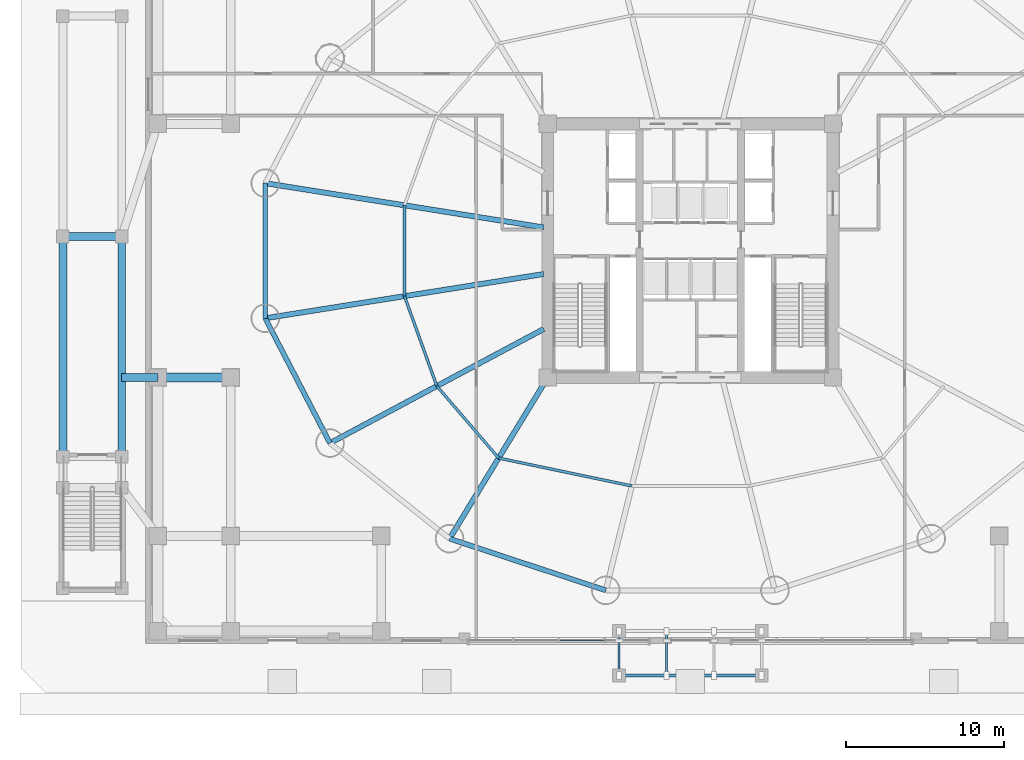
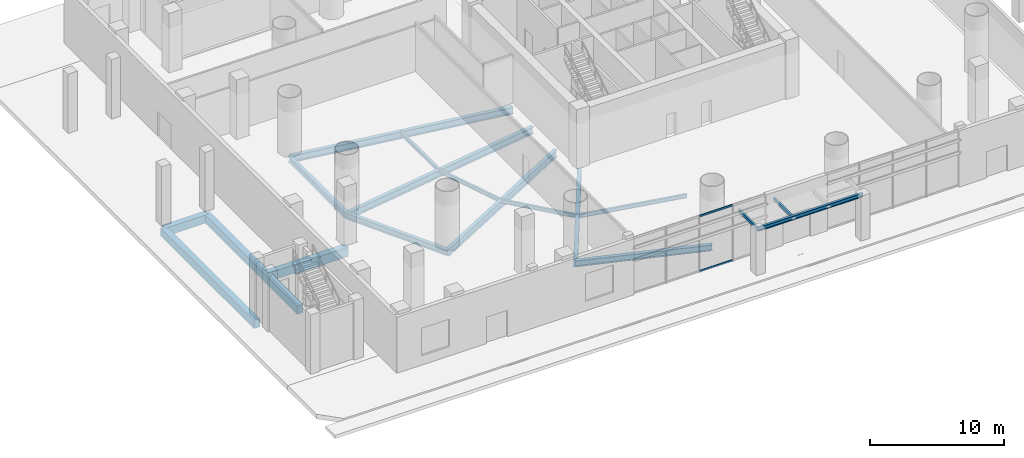
# One storey, part 3 of 25: 17 beams, 4 members, 1 element without a shape of its own.
"""IFC4 building model written with IfcOpenShell, lengths in metres."""

from ifc_helpers import new_model, si_unit, direction, frame, origin, origin_2d, place, context, subcontext, project, spatial, rectangle, hollow_rectangle, i_section, extrude, source, transform, mapped, material, material_profile, profile_set, type_object, element, aggregate, save


model = new_model("IFC4")

# Units and contexts
model_context = context("Model", 3, precision=1e-05, world=origin(), true_north=direction((-0.2419218956, 0.970295726276)))
body_context = subcontext(model_context, "Body", "Model", "MODEL_VIEW")
ifc_project = project(units=[si_unit("LENGTHUNIT", "METRE"), si_unit("AREAUNIT", "SQUARE_METRE"), si_unit("VOLUMEUNIT", "CUBIC_METRE"), si_unit("PLANEANGLEUNIT", "RADIAN"), si_unit("MASSUNIT", "GRAM", prefix="KILO")], contexts=[model_context])

# Site, building, storey
site_placement = place(None, origin())
site = spatial("IfcSite", under=ifc_project, at=site_placement, CompositionType="ELEMENT")
building_placement = place(site_placement, origin())
building = spatial("IfcBuilding", under=site, at=building_placement, Name="Cobrevalo Terracotta Tower", CompositionType="ELEMENT")
storey_placement = place(building_placement, origin())
storey = spatial("IfcBuildingStorey", under=building, at=storey_placement, Name="L00", CompositionType="ELEMENT", Elevation=0.0)

# Beams
ifc_material_1 = material(Name="Steel S355", Category="steel")
ifc_material_profile_1 = material_profile(ifc_material_1, i_section(OverallWidth=0.3291015625, OverallDepth=0.635009765625, WebThickness=0.017822265625, FlangeThickness=0.031005859375, at=origin_2d()), Name="W 610x241")
ifc_profile_set_1 = profile_set([ifc_material_profile_1], Name="Steel S355")
beam_type_1 = type_object("IfcBeamType", Name="Structural Beam W 610x241 (Steel S355)", PredefinedType="BEAM", material=ifc_profile_set_1)
for number, where, z_axis, x_axis, name in (
    (1, (11.175537109375, 31.062744140625, -0.737548828125), (0.987607924622, -0.156941349628, 0.0), (0.156941349628, 0.987607924622, 0.0), "L00 radial floor girder 08"),
    (2, (11.175537109375, 22.537353515625, -0.737548828125), (0.987607924622, 0.156941349628, 0.0), (-0.156941349628, 0.987607924622, 0.0), "L00 radial floor girder 09"),
):
    element("IfcBeam", number, at=place(storey_placement, frame(where, z_axis=z_axis, x_axis=x_axis)), inside=storey, type_object=beam_type_1, Name=name, PredefinedType="BEAM", context=body_context, shape_type="SweptSolid", body=[
        extrude(i_section(OverallWidth=0.3291015625, OverallDepth=0.635009765625, WebThickness=0.017822265625, FlangeThickness=0.031005859375, at=origin_2d()), origin(), (0.0, 0.0, 1.0), 17.7900390625),
    ])
beam_1_placement = place(storey_placement, frame((15.25927734375, 14.660888671875, -0.737548828125), z_axis=(0.88218223571, 0.470908168329, 0.0), x_axis=(-0.470908168329, 0.88218223571, 0.0)))
element("IfcBeam", 3, at=beam_1_placement, inside=storey, type_object=beam_type_1, Name="L00 radial floor girder 10", PredefinedType="BEAM", context=body_context, shape_type="SweptSolid", body=[
    extrude(i_section(OverallWidth=0.3291015625, OverallDepth=0.635009765625, WebThickness=0.017822265625, FlangeThickness=0.031005859375, at=origin_2d()), origin(), (0.0, 0.0, 1.0), 15.286865234375),
])
beam_2_placement = place(storey_placement, frame((22.80517578125, 8.63232421875, -0.737548828125), z_axis=(0.520300780853, 0.853983077961, 0.0), x_axis=(-0.853983077961, 0.520300780853, 0.0)))
element("IfcBeam", 4, at=beam_2_placement, inside=storey, type_object=beam_type_1, Name="L00 radial floor girder 11", PredefinedType="BEAM", context=body_context, shape_type="SweptSolid", body=[
    extrude(i_section(OverallWidth=0.3291015625, OverallDepth=0.635009765625, WebThickness=0.017822265625, FlangeThickness=0.031005859375, at=origin_2d()), origin(), (0.0, 0.0, 1.0), 11.90625),
])
ifc_material_profile_2 = material_profile(ifc_material_1, i_section(OverallWidth=0.1708984375, OverallDepth=0.35498046875, WebThickness=0.007080078125, FlangeThickness=0.01171875, at=origin_2d()), Name="W 360x51")
ifc_profile_set_2 = profile_set([ifc_material_profile_2], Name="Steel S355")
beam_type_2 = type_object("IfcBeamType", Name="Structural Joist W 360x51 (Steel S355)", PredefinedType="JOIST", material=ifc_profile_set_2)
beam_3_placement = place(storey_placement, frame((19.960205078125, 29.666748046875, -0.597412109375), z_axis=(0.0, -1.0, 0.0), x_axis=(1.0, 0.0, 0.0)))
element("IfcBeam", 5, at=beam_3_placement, inside=storey, type_object=beam_type_2, Name="L00 circumferential secondary floor joist 08", PredefinedType="JOIST", context=body_context, shape_type="SweptSolid", body=[
    extrude(i_section(OverallWidth=0.1708984375, OverallDepth=0.35498046875, WebThickness=0.007080078125, FlangeThickness=0.01171875, at=origin_2d()), origin(), (0.0, 0.0, 1.0), 5.7333984375),
])
beam_4_placement = place(storey_placement, frame((19.960205078125, 23.933349609375, -0.597412109375), z_axis=(0.338672151116, -0.940904444701, 0.0), x_axis=(0.940904444701, 0.338672151116, 0.0)))
element("IfcBeam", 6, at=beam_4_placement, inside=storey, type_object=beam_type_2, Name="L00 circumferential secondary floor joist 09", PredefinedType="JOIST", context=body_context, shape_type="SweptSolid", body=[
    extrude(i_section(OverallWidth=0.1708984375, OverallDepth=0.35498046875, WebThickness=0.007080078125, FlangeThickness=0.01171875, at=origin_2d()), origin(), (0.0, 0.0, 1.0), 6.029296875),
])
beam_5_placement = place(storey_placement, frame((22.002197265625, 18.26025390625, -0.597412109375), z_axis=(0.651328404454, -0.758795960421, 0.0), x_axis=(0.758795960421, 0.651328404454, 0.0)))
element("IfcBeam", 7, at=beam_5_placement, inside=storey, type_object=beam_type_2, Name="L00 circumferential secondary floor joist 10", PredefinedType="JOIST", context=body_context, shape_type="SweptSolid", body=[
    extrude(i_section(OverallWidth=0.1708984375, OverallDepth=0.35498046875, WebThickness=0.007080078125, FlangeThickness=0.01171875, at=origin_2d()), origin(), (0.0, 0.0, 1.0), 5.98828125),
])
beam_6_placement = place(storey_placement, frame((25.902587890625, 13.71630859375, -0.597412109375), z_axis=(0.978784523904, -0.204892302848, 0.0), x_axis=(0.204892302848, 0.978784523904, 0.0)))
element("IfcBeam", 8, at=beam_6_placement, inside=storey, type_object=beam_type_2, Name="L00 circumferential secondary floor joist 11", PredefinedType="JOIST", context=body_context, shape_type="SweptSolid", body=[
    extrude(i_section(OverallWidth=0.1708984375, OverallDepth=0.35498046875, WebThickness=0.007080078125, FlangeThickness=0.01171875, at=origin_2d()), origin(), (0.0, 0.0, 1.0), 8.583984375),
])
ifc_material_profile_3 = material_profile(ifc_material_1, i_section(OverallWidth=0.205078125, OverallDepth=0.35400390625, WebThickness=0.009521484375, FlangeThickness=0.016845703125, at=origin_2d()), Name="W 360x79")
ifc_profile_set_3 = profile_set([ifc_material_profile_3], Name="Steel S355")
beam_type_3 = type_object("IfcBeamType", Name="Structural Spandrel W 360x79 (Steel S355)", PredefinedType="SPANDREL", material=ifc_profile_set_3)
beam_7_placement = place(storey_placement, frame((33.5, 0.0, 3.889892578125), z_axis=(1.0, 0.0, 0.0), x_axis=(0.0, 1.0, 0.0)))
element("IfcBeam", 9, at=beam_7_placement, inside=storey, type_object=beam_type_3, Name="L00 main entrance canopy header beam", PredefinedType="SPANDREL", context=body_context, shape_type="SweptSolid", body=[
    extrude(i_section(OverallWidth=0.205078125, OverallDepth=0.35400390625, WebThickness=0.009521484375, FlangeThickness=0.016845703125, at=origin_2d()), origin(), (0.0, 0.0, 1.0), 9.0),
])
ifc_material_profile_4 = material_profile(ifc_material_1, i_section(OverallWidth=0.31201171875, OverallDepth=0.54296875, WebThickness=0.0126953125, FlangeThickness=0.020263671875, at=origin_2d()), Name="W 530x150")
ifc_profile_set_4 = profile_set([ifc_material_profile_4], Name="Steel S355")
beam_type_4 = type_object("IfcBeamType", Name="Structural Spandrel W 530x150 (Steel S355)", PredefinedType="SPANDREL", material=ifc_profile_set_4)
beam_8_placement = place(storey_placement, frame((11.175537109375, 31.062744140625, -0.69140625), z_axis=(0.0, -1.0, 0.0), x_axis=(1.0, 0.0, 0.0)))
element("IfcBeam", 10, at=beam_8_placement, inside=storey, type_object=beam_type_4, Name="L00 perimeter ring spandrel 08", PredefinedType="SPANDREL", context=body_context, shape_type="SweptSolid", body=[
    extrude(i_section(OverallWidth=0.31201171875, OverallDepth=0.54296875, WebThickness=0.0126953125, FlangeThickness=0.020263671875, at=origin_2d()), origin(), (0.0, 0.0, 1.0), 8.525390625),
])
beam_9_placement = place(storey_placement, frame((11.175537109375, 22.537353515625, -0.69140625), z_axis=(0.460285838799, -0.88777077368, 0.0), x_axis=(0.88777077368, 0.460285838799, 0.0)))
element("IfcBeam", 11, at=beam_9_placement, inside=storey, type_object=beam_type_4, Name="L00 perimeter ring spandrel 09", PredefinedType="SPANDREL", context=body_context, shape_type="SweptSolid", body=[
    extrude(i_section(OverallWidth=0.31201171875, OverallDepth=0.54296875, WebThickness=0.0126953125, FlangeThickness=0.020263671875, at=origin_2d()), origin(), (0.0, 0.0, 1.0), 8.8720703125),
])
beam_10_placement = place(storey_placement, frame((22.80517578125, 8.63232421875, -0.69140625), z_axis=(0.949372202648, -0.314153498848, 0.0), x_axis=(0.314153498848, 0.949372202648, 0.0)))
element("IfcBeam", 12, at=beam_10_placement, inside=storey, type_object=beam_type_4, Name="L00 perimeter ring spandrel 11", PredefinedType="SPANDREL", context=body_context, shape_type="SweptSolid", body=[
    extrude(i_section(OverallWidth=0.31201171875, OverallDepth=0.54296875, WebThickness=0.0126953125, FlangeThickness=0.020263671875, at=origin_2d()), origin(), (0.0, 0.0, 1.0), 10.385009765625),
])
ifc_material_2 = material(Name="Concrete C50", Category="concrete")
ifc_material_profile_5 = material_profile(ifc_material_2, rectangle(XDim=0.5, YDim=0.75, at=origin_2d()), Name="RC BM 500x750")
ifc_profile_set_5 = profile_set([ifc_material_profile_5], Name="Concrete C50")
beam_type_5 = type_object("IfcBeamType", Name="Structural T Beam RC BM 500x750 (Concrete C50)", PredefinedType="T_BEAM", material=ifc_profile_set_5)
for number, where, z_axis, x_axis, name in (
    (13, (-1.60009765625, 13.800048828125, -0.794921875), (0.0, 1.0, 0.0), (-1.0, 0.0, 0.0), "L00 garden wing edge beam W1-1"),
    (14, (2.1201171875, 13.800048828125, -0.794921875), (0.0, 1.0, 0.0), (-1.0, 0.0, 0.0), "L00 garden wing edge beam W2-1"),
):
    element("IfcBeam", number, at=place(storey_placement, frame(where, z_axis=z_axis, x_axis=x_axis)), inside=storey, type_object=beam_type_5, Name=name, PredefinedType="T_BEAM", context=body_context, shape_type="SweptSolid", body=[
        extrude(rectangle(XDim=0.5, YDim=0.75, at=origin_2d()), origin(), (0.0, 0.0, 1.0), 13.89990234375),
    ])
beam_11_placement = place(storey_placement, frame((-1.60009765625, 27.699951171875, -0.794921875), z_axis=(1.0, 0.0, 0.0), x_axis=(0.0, 1.0, 0.0)))
element("IfcBeam", 15, at=beam_11_placement, inside=storey, type_object=beam_type_5, Name="L00 garden wing cross beam W1", PredefinedType="T_BEAM", context=body_context, shape_type="SweptSolid", body=[
    extrude(rectangle(XDim=0.5, YDim=0.75, at=origin_2d()), origin(), (0.0, 0.0, 1.0), 3.72021484375),
])
beam_12_placement = place(storey_placement, frame((4.39990234375, 18.800048828125, -0.794921875), z_axis=(-1.0, 0.0, 0.0), x_axis=(0.0, -1.0, 0.0)))
element("IfcBeam", 16, at=beam_12_placement, inside=storey, type_object=beam_type_5, Name="L00 garden deck tie beam W2", PredefinedType="T_BEAM", context=body_context, shape_type="SweptSolid", body=[
    extrude(rectangle(XDim=0.5, YDim=0.75, at=origin_2d()), origin(), (0.0, 0.0, 1.0), 2.27978515625),
])
ifc_material_profile_6 = material_profile(ifc_material_2, rectangle(XDim=0.550048828125, YDim=0.85009765625, at=origin_2d()), Name="RC BM 550x850")
ifc_profile_set_6 = profile_set([ifc_material_profile_6], Name="Concrete C50")
beam_type_6 = type_object("IfcBeamType", Name="Structural T Beam RC BM 550x850 (Concrete C50)", PredefinedType="T_BEAM", material=ifc_profile_set_6)
beam_13_placement = place(storey_placement, frame((4.39990234375, 18.800048828125, -0.844970703125), z_axis=(1.0, 0.0, 0.0), x_axis=(0.0, 1.0, 0.0)))
element("IfcBeam", 17, at=beam_13_placement, inside=storey, type_object=beam_type_6, Name="L00 podium grid beam G1-GC to G2-GC", PredefinedType="T_BEAM", context=body_context, shape_type="SweptSolid", body=[
    extrude(rectangle(XDim=0.550048828125, YDim=0.85009765625, at=origin_2d()), origin(), (0.0, 0.0, 1.0), 4.60009765625),
])

# Curtain wall, members
ifc_material_3 = material(Name="Anodized aluminium", Category="aluminium")
curtain_wall_type = type_object("IfcCurtainWallType", Name="Double-height storefront stick curtain wall CW-S1", PredefinedType="NOTDEFINED", material=ifc_material_3)
curtain_wall_placement = place(storey_placement, origin())
curtain_wall = element("IfcCurtainWall", 18, at=curtain_wall_placement, inside=storey, type_object=curtain_wall_type, Name="L00 curtain wall CW-L00-S-LOB1", PredefinedType="NOTDEFINED")
ifc_material_profile_7 = material_profile(ifc_material_3, hollow_rectangle(XDim=0.080078125, YDim=0.1650390625, WallThickness=0.00439453125, at=origin_2d()), Name="CWT 80x165")
ifc_profile_set_7 = profile_set([ifc_material_profile_7], Name="Anodized aluminium")
member_type_1 = type_object("IfcMemberType", Name="Storefront & atrium aluminium transom 80x165", PredefinedType="USERDEFINED", material=ifc_profile_set_7)
shared_shape_1 = source(origin(), body_context, "Body", "SweptSolid", [
    extrude(hollow_rectangle(XDim=0.080078125, YDim=0.1650390625, WallThickness=0.00439453125, at=origin_2d()), origin(), (0.0, 0.0, 1.0), 2.794921875),
])
member_1_placement = place(storey_placement, frame((29.739990234375, 2.199951171875, 0.050048828125), z_axis=(1.0, 0.0, 0.0), x_axis=(0.0, 1.0, 0.0)))
member_1 = element("IfcMember", 19, at=member_1_placement, type_object=member_type_1, Name="CW-L00-S-LOB1 transom B03-T1", ObjectType="TRANSOM", PredefinedType="USERDEFINED", context=body_context, shape_type="MappedRepresentation", body=[
    mapped(shared_shape_1, transform((0.0, 0.0, 0.0), scale=1.0)),
])
member_2_placement = place(storey_placement, frame((29.739990234375, 2.199951171875, 5.050048828125), z_axis=(1.0, 0.0, 0.0), x_axis=(0.0, 1.0, 0.0)))
member_2 = element("IfcMember", 20, at=member_2_placement, type_object=member_type_1, Name="CW-L00-S-LOB1 transom B03-T2", ObjectType="TRANSOM", PredefinedType="USERDEFINED", context=body_context, shape_type="MappedRepresentation", body=[
    mapped(shared_shape_1, transform((0.0, 0.0, 0.0), scale=1.0)),
])
aggregate(curtain_wall, [member_1, member_2])

# Members
ifc_material_profile_8 = material_profile(ifc_material_3, hollow_rectangle(XDim=0.139892578125, YDim=0.280029296875, WallThickness=0.010009765625, at=origin_2d()), Name="CANOPY OUTRIGGER 140x280")
ifc_profile_set_8 = profile_set([ifc_material_profile_8], Name="Anodized aluminium")
member_type_2 = type_object("IfcMemberType", Name="Entrance canopy structural aluminium outrigger 140x280 mm", PredefinedType="USERDEFINED", material=ifc_profile_set_8)
shared_shape_2 = source(origin(), body_context, "Body", "SweptSolid", [
    extrude(hollow_rectangle(XDim=0.139892578125, YDim=0.280029296875, WallThickness=0.010009765625, at=origin_2d()), origin(), (0.0, 0.0, 1.0), 2.800048828125),
])
for number, where, z_axis, x_axis, name in (
    (21, (33.5, 2.800048828125, 3.889892578125), (0.0, -1.0, 0.0), (1.0, 0.0, 0.0), "L00 main entrance canopy outrigger 1"),
    (22, (36.5, 2.800048828125, 3.889892578125), (0.0, -1.0, 0.0), (1.0, 0.0, 0.0), "L00 main entrance canopy outrigger 2"),
):
    element("IfcMember", number, at=place(storey_placement, frame(where, z_axis=z_axis, x_axis=x_axis)), inside=storey, type_object=member_type_2, Name=name, ObjectType="CANOPY_BEAM", PredefinedType="USERDEFINED", context=body_context, shape_type="MappedRepresentation", body=[
        mapped(shared_shape_2, transform((0.0, 0.0, 0.0), scale=1.0)),
    ])

save(model, "model.ifc")
